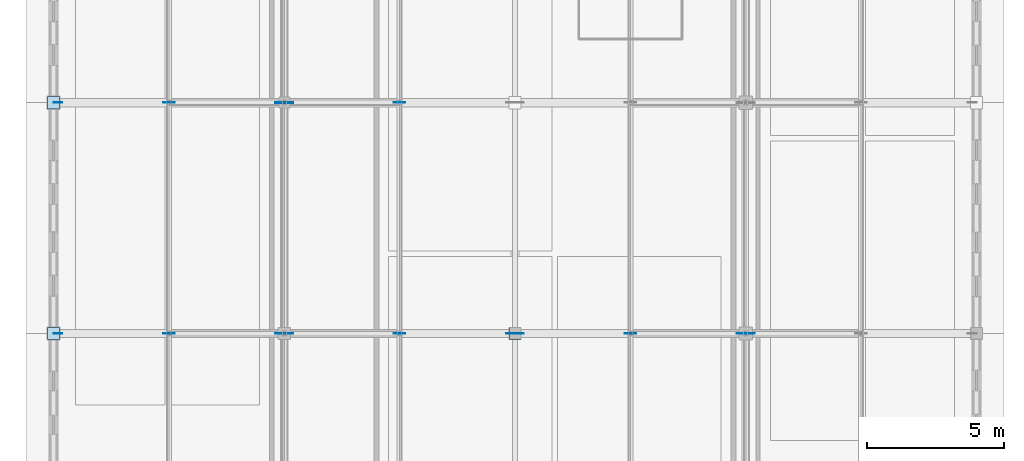
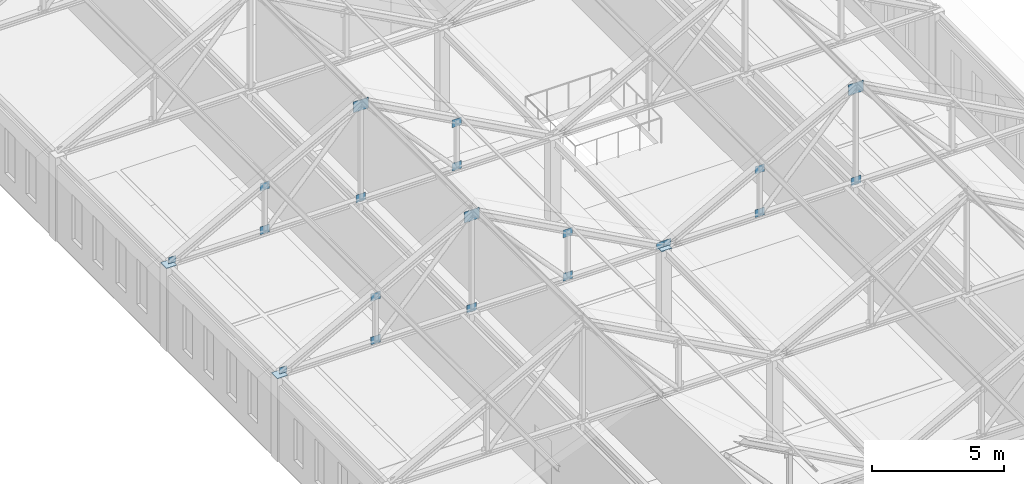
# One storey, part 22 of 36: 23 plates.
"""IFC4 building model written with IfcOpenShell, lengths in metres."""

from ifc_helpers import new_model, si_unit, direction, frame, origin, origin_2d, place, context, subcontext, project, spatial, rectangle, extrude, material, layer, layer_set, type_object, element, save


model = new_model("IFC4")

# Units and contexts
model_context = context("Model", 3, precision=1e-05, world=origin(), true_north=direction((0.0, 1.0)))
body_context = subcontext(model_context, "Body", "Model", "MODEL_VIEW")
ifc_project = project(units=[si_unit("LENGTHUNIT", "METRE"), si_unit("AREAUNIT", "SQUARE_METRE"), si_unit("VOLUMEUNIT", "CUBIC_METRE"), si_unit("PLANEANGLEUNIT", "RADIAN"), si_unit("MASSUNIT", "GRAM", prefix="KILO")], contexts=[model_context])

# Site, building, storey
site_placement = place(None, origin())
site = spatial("IfcSite", under=ifc_project, at=site_placement, CompositionType="ELEMENT")
building_placement = place(site_placement, origin())
building = spatial("IfcBuilding", under=site, at=building_placement, Name="Kveldsbrygga Polytechnic", CompositionType="ELEMENT")
storey_placement = place(building_placement, frame((0.0, 0.0, 26.179931640625)))
storey = spatial("IfcBuildingStorey", under=building, at=storey_placement, Name="L06", CompositionType="ELEMENT", Elevation=26.179931640625)

# Plates
ifc_material = material(Name="Steel S355", Category="steel")
ifc_layer_1 = layer(ifc_material, 0.030029296875)
ifc_layer_set_1 = layer_set([ifc_layer_1], Name="Steel S355")
plate_type_1 = type_object("IfcPlateType", Name="CAP-BEAR-450", PredefinedType="SHEET", material=ifc_layer_set_1)
for number, where, z_axis, x_axis, name in (
    (1, (126.0, 50.39990234375, 3.81005859375), (0.0, 0.0, 1.0), (1.0, 0.0, 0.0), "Truss Bearing Plate V4M1-T05-A"),
    (2, (142.800048828125, 50.39990234375, 3.81005859375), (0.0, 0.0, 1.0), (1.0, 0.0, 0.0), "Truss Bearing Plate V4M1-T05-B"),
    (3, (126.0, 58.800048828125, 3.81005859375), (0.0, 0.0, 1.0), (1.0, 0.0, 0.0), "Truss Bearing Plate V4M1-T06-A"),
):
    element("IfcPlate", number, at=place(storey_placement, frame(where, z_axis=z_axis, x_axis=x_axis)), inside=storey, type_object=plate_type_1, Name=name, PredefinedType="SHEET", context=body_context, shape_type="SweptSolid", body=[
        extrude(rectangle(XDim=0.449951171875, YDim=0.449951171875, at=origin_2d()), origin(), (0.0, 0.0, 1.0), 0.030029296875),
    ])
ifc_layer_2 = layer(ifc_material, 0.02490234375)
ifc_layer_set_2 = layer_set([ifc_layer_2], Name="Steel S355")
plate_type_2 = type_object("IfcPlateType", Name="GUS-APEX-650", PredefinedType="SHEET", material=ifc_layer_set_2)
for number, where, z_axis, x_axis, name in (
    (4, (134.39990234375, 50.39990234375, 7.989990234375), (0.0, 0.0, 1.0), (1.0, 0.0, 0.0), "Truss Gusset Plate V4M1-T05-GP-2"),
    (5, (134.39990234375, 58.800048828125, 7.989990234375), (0.0, 0.0, 1.0), (1.0, 0.0, 0.0), "Truss Gusset Plate V4M1-T06-GP-2"),
    (6, (151.199951171875, 50.39990234375, 7.989990234375), (0.0, 0.0, 1.0), (1.0, 0.0, 0.0), "Truss Gusset Plate V4M2-T05-GP-2"),
):
    element("IfcPlate", number, at=place(storey_placement, frame(where, z_axis=z_axis, x_axis=x_axis)), inside=storey, type_object=plate_type_2, Name=name, PredefinedType="SHEET", context=body_context, shape_type="SweptSolid", body=[
        extrude(rectangle(XDim=0.64990234375, YDim=0.02490234375, at=origin_2d()), origin(), (0.0, 0.0, 1.0), 0.5),
    ])
ifc_layer_3 = layer(ifc_material, 0.01806640625)
ifc_layer_set_3 = layer_set([ifc_layer_3], Name="Steel S355")
plate_type_3 = type_object("IfcPlateType", Name="GUS-BRACE-320", PredefinedType="SHEET", material=ifc_layer_set_3)
for number, where, z_axis, x_axis, name in (
    (7, (126.159912109375, 50.39990234375, 3.7998046875), (0.0, 0.0, 1.0), (1.0, 0.0, 0.0), "Truss Eaves Node Gusset V4M1-T05-EGP-A"),
    (8, (142.639892578125, 50.39990234375, 3.7998046875), (0.0, 0.0, 1.0), (1.0, 0.0, 0.0), "Truss Eaves Node Gusset V4M1-T05-EGP-B"),
    (9, (126.159912109375, 58.800048828125, 3.7998046875), (0.0, 0.0, 1.0), (1.0, 0.0, 0.0), "Truss Eaves Node Gusset V4M1-T06-EGP-A"),
    (10, (142.9599609375, 50.39990234375, 3.7998046875), (0.0, 0.0, 1.0), (1.0, 0.0, 0.0), "Truss Eaves Node Gusset V4M2-T05-EGP-A"),
):
    element("IfcPlate", number, at=place(storey_placement, frame(where, z_axis=z_axis, x_axis=x_axis)), inside=storey, type_object=plate_type_3, Name=name, PredefinedType="SHEET", context=body_context, shape_type="SweptSolid", body=[
        extrude(rectangle(XDim=0.320068359375, YDim=0.01806640625, at=origin_2d()), origin(), (0.0, 0.0, 1.0), 0.320068359375),
    ])
ifc_layer_4 = layer(ifc_material, 0.02001953125)
ifc_layer_set_4 = layer_set([ifc_layer_4], Name="Steel S355")
plate_type_4 = type_object("IfcPlateType", Name="GUS-LECT-420", PredefinedType="SHEET", material=ifc_layer_set_4)
for number, where, z_axis, x_axis, name in (
    (11, (130.199951171875, 50.39990234375, 5.7900390625), (0.0, 0.0, 1.0), (1.0, 0.0, 0.0), "Truss Gusset Plate V4M1-T05-GP-1"),
    (12, (130.199951171875, 50.39990234375, 3.784912109375), (0.0, 0.0, 1.0), (1.0, 0.0, 0.0), "Truss Bottom-Chord Node Gusset V4M1-T05-BGP-1"),
    (13, (134.39990234375, 50.39990234375, 3.784912109375), (0.0, 0.0, 1.0), (1.0, 0.0, 0.0), "Truss Bottom-Chord Node Gusset V4M1-T05-BGP-2"),
    (14, (138.60009765625, 50.39990234375, 5.7900390625), (0.0, 0.0, 1.0), (1.0, 0.0, 0.0), "Truss Gusset Plate V4M1-T05-GP-3"),
    (15, (138.60009765625, 50.39990234375, 3.784912109375), (0.0, 0.0, 1.0), (1.0, 0.0, 0.0), "Truss Bottom-Chord Node Gusset V4M1-T05-BGP-3"),
    (16, (130.199951171875, 58.800048828125, 5.7900390625), (0.0, 0.0, 1.0), (1.0, 0.0, 0.0), "Truss Gusset Plate V4M1-T06-GP-1"),
    (17, (130.199951171875, 58.800048828125, 3.784912109375), (0.0, 0.0, 1.0), (1.0, 0.0, 0.0), "Truss Bottom-Chord Node Gusset V4M1-T06-BGP-1"),
    (18, (134.39990234375, 58.800048828125, 3.784912109375), (0.0, 0.0, 1.0), (1.0, 0.0, 0.0), "Truss Bottom-Chord Node Gusset V4M1-T06-BGP-2"),
    (19, (138.60009765625, 58.800048828125, 5.7900390625), (0.0, 0.0, 1.0), (1.0, 0.0, 0.0), "Truss Gusset Plate V4M1-T06-GP-3"),
    (20, (138.60009765625, 58.800048828125, 3.784912109375), (0.0, 0.0, 1.0), (1.0, 0.0, 0.0), "Truss Bottom-Chord Node Gusset V4M1-T06-BGP-3"),
    (21, (147.0, 50.39990234375, 5.7900390625), (0.0, 0.0, 1.0), (1.0, 0.0, 0.0), "Truss Gusset Plate V4M2-T05-GP-1"),
    (22, (147.0, 50.39990234375, 3.784912109375), (0.0, 0.0, 1.0), (1.0, 0.0, 0.0), "Truss Bottom-Chord Node Gusset V4M2-T05-BGP-1"),
    (23, (151.199951171875, 50.39990234375, 3.784912109375), (0.0, 0.0, 1.0), (1.0, 0.0, 0.0), "Truss Bottom-Chord Node Gusset V4M2-T05-BGP-2"),
):
    element("IfcPlate", number, at=place(storey_placement, frame(where, z_axis=z_axis, x_axis=x_axis)), inside=storey, type_object=plate_type_4, Name=name, PredefinedType="SHEET", context=body_context, shape_type="SweptSolid", body=[
        extrude(rectangle(XDim=0.419921875, YDim=0.02001953125, at=origin_2d()), origin(), (0.0, 0.0, 1.0), 0.35009765625),
    ])

save(model, "model.ifc")
